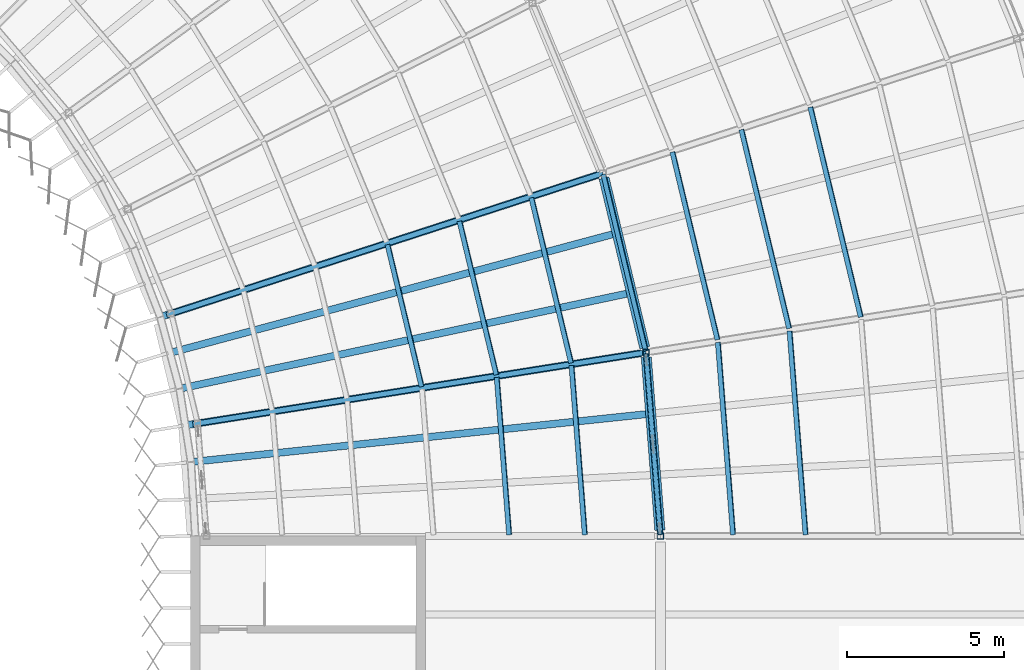
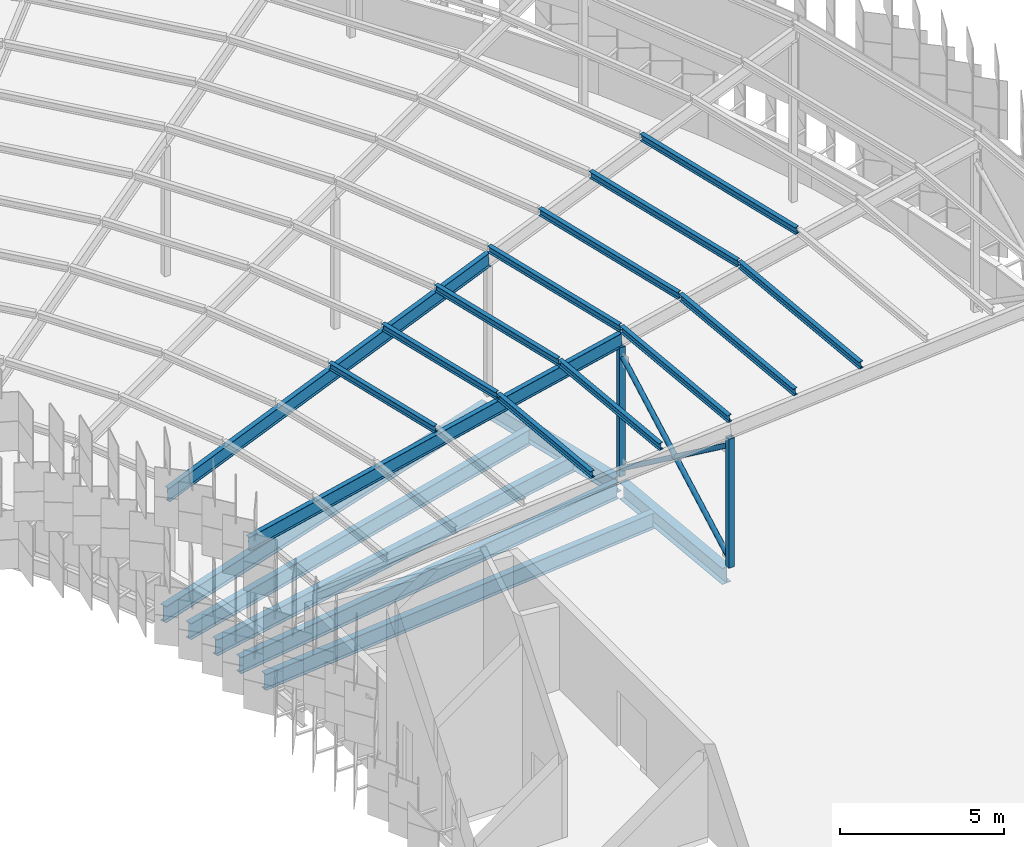
# One storey, part 88 of 483: 19 members, 7 beams.
"""IFC4 building model written with IfcOpenShell, lengths in metres."""

from ifc_helpers import new_model, si_unit, direction, frame, origin, origin_2d, place, context, subcontext, project, spatial, hollow_rectangle, hollow_circle, i_section, extrude, material, material_profile, profile_set, type_object, element, save


model = new_model("IFC4")

# Units and contexts
model_context = context("Model", 3, precision=1e-05, world=origin(), true_north=direction((0.0, 1.0)))
body_context = subcontext(model_context, "Body", "Model", "MODEL_VIEW")
ifc_project = project(units=[si_unit("LENGTHUNIT", "METRE"), si_unit("AREAUNIT", "SQUARE_METRE"), si_unit("VOLUMEUNIT", "CUBIC_METRE"), si_unit("PLANEANGLEUNIT", "RADIAN"), si_unit("MASSUNIT", "GRAM", prefix="KILO")], contexts=[model_context])

# Site, building, storey
site_placement = place(None, origin())
site = spatial("IfcSite", under=ifc_project, at=site_placement, CompositionType="ELEMENT")
building_placement = place(site_placement, origin())
building = spatial("IfcBuilding", under=site, at=building_placement, Name="Parallax Yard Mobility Hub", CompositionType="ELEMENT")
storey_placement = place(building_placement, frame((0.0, 0.0, 13.199951171875)))
storey = spatial("IfcBuildingStorey", under=building, at=storey_placement, Name="L04", CompositionType="ELEMENT", Elevation=13.199951171875)

# Members
ifc_material_1 = material(Name="Steel ASTM A500 Gr C", Category="steel")
ifc_material_profile_1 = material_profile(ifc_material_1, hollow_circle(Radius=0.0888671875, WallThickness=0.0078125, at=origin_2d()), Name="HSS177.8x7.9")
ifc_profile_set_1 = profile_set([ifc_material_profile_1], Name="Steel ASTM A500 Gr C")
member_type_1 = type_object("IfcMemberType", Name="Canopy brace HSS177.8x7.9", PredefinedType="BRACE", material=ifc_profile_set_1)
member_1_placement = place(storey_placement, frame((209.99267578125, 90.093994140625, 0.300048828125), z_axis=(-0.063432047251, 0.805735966664, 0.588868344714), x_axis=(-0.996915470375, -0.078482768349, 0.0)))
element("IfcMember", 1, at=member_1_placement, inside=storey, type_object=member_type_1, Name="Canopy X brace RB bay R9-R10 diagonal B", PredefinedType="BRACE", context=body_context, shape_type="SweptSolid", body=[
    extrude(hollow_circle(Radius=0.0888671875, WallThickness=0.0078125, at=origin_2d()), origin(), (0.0, 0.0, 1.0), 7.04736328125),
])
for number, where, z_axis, x_axis, name in (
    (2, (209.545654296875, 95.772216796875, 0.300048828125), (0.063442663143, -0.805736014906, 0.588867135079), (0.996914442986, 0.078495817512, 0.0), "Canopy X brace RB bay R9-R10 diagonal A part 1"),
    (3, (209.7744140625, 92.865966796875, 2.424072265625), (0.063442663143, -0.805736014906, 0.588867135079), (0.996914442986, 0.078495817512, 0.0), "Canopy X brace RB bay R9-R10 diagonal A part 2"),
):
    element("IfcMember", number, at=place(storey_placement, frame(where, z_axis=z_axis, x_axis=x_axis)), inside=storey, type_object=member_type_1, Name=name, PredefinedType="BRACE", context=body_context, shape_type="SweptSolid", body=[
        extrude(hollow_circle(Radius=0.0888671875, WallThickness=0.0078125, at=origin_2d()), origin(), (0.0, 0.0, 1.0), 3.440185546875),
    ])
ifc_material_profile_2 = material_profile(ifc_material_1, hollow_rectangle(XDim=0.203125, YDim=0.203125, WallThickness=0.009521484375, at=origin_2d()), Name="HSS203x203x9.5")
ifc_profile_set_2 = profile_set([ifc_material_profile_2], Name="Steel ASTM A500 Gr C")
member_type_2 = type_object("IfcMemberType", Name="Canopy post HSS203x203x9.5", PredefinedType="POST", material=ifc_profile_set_2)
for number, where, z_axis, x_axis, name in (
    (4, (209.538330078125, 95.8662109375, 0.0), (0.0, 0.0, 1.0), (1.0, 0.0, 0.0), "Canopy post RB/R9"),
    (5, (210.0, 90.0, 0.0), (0.0, 0.0, 1.0), (1.0, 0.0, 0.0), "Canopy post RB/R10"),
):
    element("IfcMember", number, at=place(storey_placement, frame(where, z_axis=z_axis, x_axis=x_axis)), inside=storey, type_object=member_type_2, Name=name, PredefinedType="POST", context=body_context, shape_type="SweptSolid", body=[
        extrude(hollow_rectangle(XDim=0.203125, YDim=0.203125, WallThickness=0.009521484375, at=origin_2d()), origin(), (0.0, 0.0, 1.0), 4.81005859375),
    ])
ifc_material_2 = material(Name="Steel ASTM A992", Category="steel")
ifc_material_profile_3 = material_profile(ifc_material_2, i_section(OverallWidth=0.14794921875, OverallDepth=0.26611328125, WebThickness=0.007568359375, FlangeThickness=0.012939453125, at=origin_2d()), Name="W250x45")
ifc_profile_set_3 = profile_set([ifc_material_profile_3], Name="Steel ASTM A992")
member_type_3 = type_object("IfcMemberType", Name="Canopy purlin W250x45", PredefinedType="PURLIN", material=ifc_profile_set_3)
member_2_placement = place(storey_placement, frame((201.289306640625, 99.311279296875, 4.882080078125), z_axis=(0.233428353481, -0.97237400407, 0.0), x_axis=(0.969258180753, 0.232680368135, 0.079990157691)))
element("IfcMember", 6, at=member_2_placement, inside=storey, type_object=member_type_3, Name="Canopy purlin sector R8-R9 line 4", PredefinedType="PURLIN", context=body_context, shape_type="SweptSolid", body=[
    extrude(i_section(OverallWidth=0.14794921875, OverallDepth=0.26611328125, WebThickness=0.007568359375, FlangeThickness=0.012939453125, at=origin_2d()), origin(), (0.0, 0.0, 1.0), 4.666748046875),
])
member_3_placement = place(storey_placement, frame((203.58740234375, 100.05810546875, 5.075439453125), z_axis=(0.233451639368, -0.972368413759, 0.0), x_axis=(0.969252608356, 0.232703579406, 0.079990157691)))
element("IfcMember", 7, at=member_3_placement, inside=storey, type_object=member_type_3, Name="Canopy purlin sector R8-R9 line 5", PredefinedType="PURLIN", context=body_context, shape_type="SweptSolid", body=[
    extrude(i_section(OverallWidth=0.14794921875, OverallDepth=0.26611328125, WebThickness=0.007568359375, FlangeThickness=0.012939453125, at=origin_2d()), origin(), (0.0, 0.0, 1.0), 5.0458984375),
])
member_4_placement = place(storey_placement, frame((205.885986328125, 100.804931640625, 5.2685546875), z_axis=(0.233418906085, -0.972376271966, 0.0), x_axis=(0.969260441382, 0.232670951011, 0.079990157691)))
element("IfcMember", 8, at=member_4_placement, inside=storey, type_object=member_type_3, Name="Canopy purlin sector R8-R9 line 6", PredefinedType="PURLIN", context=body_context, shape_type="SweptSolid", body=[
    extrude(i_section(OverallWidth=0.14794921875, OverallDepth=0.26611328125, WebThickness=0.007568359375, FlangeThickness=0.012939453125, at=origin_2d()), origin(), (0.0, 0.0, 1.0), 5.42529296875),
])
member_5_placement = place(storey_placement, frame((208.184326171875, 101.5517578125, 5.462158203125), z_axis=(0.233439766266, -0.972371264243, 0.0), x_axis=(0.969255449706, 0.232691744349, 0.079990157691)))
element("IfcMember", 9, at=member_5_placement, inside=storey, type_object=member_type_3, Name="Canopy purlin sector R8-R9 line 7", PredefinedType="PURLIN", context=body_context, shape_type="SweptSolid", body=[
    extrude(i_section(OverallWidth=0.14794921875, OverallDepth=0.26611328125, WebThickness=0.007568359375, FlangeThickness=0.012939453125, at=origin_2d()), origin(), (0.0, 0.0, 1.0), 5.804443359375),
])
member_6_placement = place(storey_placement, frame((210.3876953125, 102.267578125, 5.6474609375), z_axis=(0.233416366935, -0.972376881485, 0.0), x_axis=(0.969261048948, 0.232668419997, 0.079990157691)))
element("IfcMember", 10, at=member_6_placement, inside=storey, type_object=member_type_3, Name="Canopy purlin sector R8-R9 line 8", PredefinedType="PURLIN", context=body_context, shape_type="SweptSolid", body=[
    extrude(i_section(OverallWidth=0.14794921875, OverallDepth=0.26611328125, WebThickness=0.007568359375, FlangeThickness=0.012939453125, at=origin_2d()), origin(), (0.0, 0.0, 1.0), 6.16796875),
])
member_7_placement = place(storey_placement, frame((212.5908203125, 102.9833984375, 5.832763671875), z_axis=(0.23343939935, -0.972371352329, 0.0), x_axis=(0.96925553751, 0.232691378609, 0.079990157691)))
element("IfcMember", 11, at=member_7_placement, inside=storey, type_object=member_type_3, Name="Canopy purlin sector R8-R9 line 9", PredefinedType="PURLIN", context=body_context, shape_type="SweptSolid", body=[
    extrude(i_section(OverallWidth=0.14794921875, OverallDepth=0.26611328125, WebThickness=0.007568359375, FlangeThickness=0.012939453125, at=origin_2d()), origin(), (0.0, 0.0, 1.0), 6.53125),
])
member_8_placement = place(storey_placement, frame((214.794189453125, 103.699462890625, 6.01806640625), z_axis=(0.233443928247, -0.972370265056, 0.0), x_axis=(0.96925445372, 0.232695892993, 0.079990157691)))
element("IfcMember", 12, at=member_8_placement, inside=storey, type_object=member_type_3, Name="Canopy purlin sector R8-R9 line 10", PredefinedType="PURLIN", context=body_context, shape_type="SweptSolid", body=[
    extrude(i_section(OverallWidth=0.14794921875, OverallDepth=0.26611328125, WebThickness=0.007568359375, FlangeThickness=0.012939453125, at=origin_2d()), origin(), (0.0, 0.0, 1.0), 6.89501953125),
])
member_9_placement = place(storey_placement, frame((204.7783203125, 95.0712890625, 5.075439453125), z_axis=(0.078475989253, -0.99691600404, 0.0), x_axis=(0.99372153965, 0.078224524985, 0.079990157691)))
element("IfcMember", 13, at=member_9_placement, inside=storey, type_object=member_type_3, Name="Canopy purlin sector R9-R10 line 5", PredefinedType="PURLIN", context=body_context, shape_type="SweptSolid", body=[
    extrude(i_section(OverallWidth=0.14794921875, OverallDepth=0.26611328125, WebThickness=0.007568359375, FlangeThickness=0.012939453125, at=origin_2d()), origin(), (0.0, 0.0, 1.0), 5.046142578125),
])
member_10_placement = place(storey_placement, frame((207.1650390625, 95.44921875, 5.2685546875), z_axis=(0.078482401064, -0.996915499289, 0.0), x_axis=(0.993721036516, 0.07823091625, 0.079990157691)))
element("IfcMember", 14, at=member_10_placement, inside=storey, type_object=member_type_3, Name="Canopy purlin sector R9-R10 line 6", PredefinedType="PURLIN", context=body_context, shape_type="SweptSolid", body=[
    extrude(i_section(OverallWidth=0.14794921875, OverallDepth=0.26611328125, WebThickness=0.007568359375, FlangeThickness=0.012939453125, at=origin_2d()), origin(), (0.0, 0.0, 1.0), 5.42529296875),
])
member_11_placement = place(storey_placement, frame((209.552001953125, 95.827392578125, 5.462158203125), z_axis=(0.078484684257, -0.996915319542, 0.0), x_axis=(0.993720857345, 0.078233192127, 0.079990157691)))
element("IfcMember", 15, at=member_11_placement, inside=storey, type_object=member_type_3, Name="Canopy purlin sector R9-R10 line 7", PredefinedType="PURLIN", context=body_context, shape_type="SweptSolid", body=[
    extrude(i_section(OverallWidth=0.14794921875, OverallDepth=0.26611328125, WebThickness=0.007568359375, FlangeThickness=0.012939453125, at=origin_2d()), origin(), (0.0, 0.0, 1.0), 5.804443359375),
])
member_12_placement = place(storey_placement, frame((211.840087890625, 96.189697265625, 5.6474609375), z_axis=(0.078491306471, -0.996914798169, 0.0), x_axis=(0.993720337643, 0.078239793121, 0.079990157691)))
element("IfcMember", 16, at=member_12_placement, inside=storey, type_object=member_type_3, Name="Canopy purlin sector R9-R10 line 8", PredefinedType="PURLIN", context=body_context, shape_type="SweptSolid", body=[
    extrude(i_section(OverallWidth=0.14794921875, OverallDepth=0.26611328125, WebThickness=0.007568359375, FlangeThickness=0.012939453125, at=origin_2d()), origin(), (0.0, 0.0, 1.0), 6.16796875),
])
member_13_placement = place(storey_placement, frame((214.12841796875, 96.552001953125, 5.832763671875), z_axis=(0.078460042263, -0.996917259239, 0.0), x_axis=(0.993722790826, 0.078208629094, 0.079990157691)))
element("IfcMember", 17, at=member_13_placement, inside=storey, type_object=member_type_3, Name="Canopy purlin sector R9-R10 line 9", PredefinedType="PURLIN", context=body_context, shape_type="SweptSolid", body=[
    extrude(i_section(OverallWidth=0.14794921875, OverallDepth=0.26611328125, WebThickness=0.007568359375, FlangeThickness=0.012939453125, at=origin_2d()), origin(), (0.0, 0.0, 1.0), 6.53125),
])
ifc_material_profile_4 = material_profile(ifc_material_2, i_section(OverallWidth=0.166015625, OverallDepth=0.529052734375, WebThickness=0.009765625, FlangeThickness=0.013671875, at=origin_2d()), Name="W530x74")
ifc_profile_set_4 = profile_set([ifc_material_profile_4], Name="Steel ASTM A992")
member_type_4 = type_object("IfcMemberType", Name="Canopy rafter W530x74", PredefinedType="RAFTER", material=ifc_profile_set_4)
member_14_placement = place(storey_placement, frame((194.251708984375, 97.0673828125, 3.89501953125), z_axis=(0.948027918907, 0.30803016822, 0.079752620268), x_axis=(-0.30901447615, 0.951057334512, 0.0)))
element("IfcMember", 18, at=member_14_placement, inside=storey, type_object=member_type_4, Name="Canopy rafter R8 inner span", PredefinedType="RAFTER", context=body_context, shape_type="SweptSolid", body=[
    extrude(i_section(OverallWidth=0.166015625, OverallDepth=0.529052734375, WebThickness=0.009765625, FlangeThickness=0.013671875, at=origin_2d()), origin(), (0.0, 0.0, 1.0), 14.697021484375),
])
member_15_placement = place(storey_placement, frame((195.089599609375, 93.577880859375, 3.89501953125), z_axis=(0.984542051236, 0.155936629743, 0.079754102418), x_axis=(-0.156434942601, 0.987688264957, 0.0)))
element("IfcMember", 19, at=member_15_placement, inside=storey, type_object=member_type_4, Name="Canopy rafter R9 inner span", PredefinedType="RAFTER", context=body_context, shape_type="SweptSolid", body=[
    extrude(i_section(OverallWidth=0.166015625, OverallDepth=0.529052734375, WebThickness=0.009765625, FlangeThickness=0.013671875, at=origin_2d()), origin(), (0.0, 0.0, 1.0), 14.69677734375),
])

# Beams
ifc_material_profile_5 = material_profile(ifc_material_2, i_section(OverallWidth=0.22802734375, OverallDepth=0.60205078125, WebThickness=0.010498046875, FlangeThickness=0.014892578125, FilletRadius=0.0126953125, at=origin_2d()), Name="W610x101")
ifc_profile_set_5 = profile_set([ifc_material_profile_5], Name="Steel ASTM A992")
beam_type_1 = type_object("IfcBeamType", Name="W610x101 secondary beam", PredefinedType="JOIST", material=ifc_profile_set_5)
for number, where, z_axis, x_axis, name in (
    (20, (194.284423828125, 95.837158203125, -0.44091796875), (0.965927342589, 0.258813386129, 0.0), (-0.258813386129, 0.965927342589, 0.0), "Secondary beam B3 level L04, radial at 75 degrees of ramped parking decks, span 1"),
    (21, (194.56005859375, 94.68896484375, -0.44091796875), (0.978147607736, 0.207911657875, 0.0), (-0.207911657875, 0.978147607736, 0.0), "Secondary beam B3 level L04, radial at 78 degrees of ramped parking decks, span 1"),
):
    element("IfcBeam", number, at=place(storey_placement, frame(where, z_axis=z_axis, x_axis=x_axis)), inside=storey, type_object=beam_type_1, Name=name, PredefinedType="JOIST", context=body_context, shape_type="SweptSolid", body=[
        extrude(i_section(OverallWidth=0.22802734375, OverallDepth=0.60205078125, WebThickness=0.010498046875, FlangeThickness=0.014892578125, FilletRadius=0.0126953125, at=origin_2d()), origin(), (0.0, 0.0, 1.0), 14.681640625),
    ])
beam_1_placement = place(storey_placement, frame((194.92919921875, 92.357421875, -0.44091796875), z_axis=(0.994522023464, 0.104527244507, 0.0), x_axis=(-0.104527244507, 0.994522023464, 0.0)))
element("IfcBeam", 22, at=beam_1_placement, inside=storey, type_object=beam_type_1, Name="Secondary beam B3 level L04, radial at 84 degrees of ramped parking decks, span 1", PredefinedType="JOIST", context=body_context, shape_type="SweptSolid", body=[
    extrude(i_section(OverallWidth=0.22802734375, OverallDepth=0.60205078125, WebThickness=0.010498046875, FlangeThickness=0.014892578125, FilletRadius=0.0126953125, at=origin_2d()), origin(), (0.0, 0.0, 1.0), 14.681884765625),
])
ifc_material_profile_6 = material_profile(ifc_material_2, i_section(OverallWidth=0.22900390625, OverallDepth=0.612060546875, WebThickness=0.011962890625, FlangeThickness=0.01953125, FilletRadius=0.0126953125, at=origin_2d()), Name="W610x125")
ifc_profile_set_6 = profile_set([ifc_material_profile_6], Name="Steel ASTM A992")
beam_type_2 = type_object("IfcBeamType", Name="W610x125 girder", PredefinedType="BEAM", material=ifc_profile_set_6)
beam_2_placement = place(storey_placement, frame((194.07373046875, 97.009765625, -0.446044921875), z_axis=(0.95105867833, 0.309010340236, 0.0), x_axis=(-0.309010340236, 0.95105867833, 0.0)))
element("IfcBeam", 23, at=beam_2_placement, inside=storey, type_object=beam_type_2, Name="Girder G3 level L04, radial R8 of ramped parking decks, span 1", PredefinedType="BEAM", context=body_context, shape_type="SweptSolid", body=[
    extrude(i_section(OverallWidth=0.22900390625, OverallDepth=0.612060546875, WebThickness=0.011962890625, FlangeThickness=0.01953125, FilletRadius=0.0126953125, at=origin_2d()), origin(), (0.0, 0.0, 1.0), 14.65185546875),
])
beam_3_placement = place(storey_placement, frame((194.722900390625, 93.519775390625, -0.446044921875), z_axis=(0.98768893583, 0.156430706831, 0.0), x_axis=(-0.156430706831, 0.98768893583, 0.0)))
element("IfcBeam", 24, at=beam_3_placement, inside=storey, type_object=beam_type_2, Name="Girder G3 level L04, radial R9 of ramped parking decks, span 2", PredefinedType="BEAM", context=body_context, shape_type="SweptSolid", body=[
    extrude(i_section(OverallWidth=0.22900390625, OverallDepth=0.612060546875, WebThickness=0.011962890625, FlangeThickness=0.01953125, FilletRadius=0.0126953125, at=origin_2d()), origin(), (0.0, 0.0, 1.0), 14.8359375),
])
ifc_material_profile_7 = material_profile(ifc_material_2, i_section(OverallWidth=0.324951171875, OverallDepth=0.612060546875, WebThickness=0.0126953125, FlangeThickness=0.01904296875, FilletRadius=0.0126953125, at=origin_2d()), Name="W610x155")
ifc_profile_set_7 = profile_set([ifc_material_profile_7], Name="Steel ASTM A992")
beam_type_3 = type_object("IfcBeamType", Name="W610x155 longitudinal beam", PredefinedType="BEAM", material=ifc_profile_set_7)
beam_4_placement = place(storey_placement, frame((208.200927734375, 101.43701171875, -0.446044921875), z_axis=(0.233434251822, -0.972372588094, 0.0), x_axis=(0.972372588094, 0.233434251822, 0.0)))
element("IfcBeam", 25, at=beam_4_placement, inside=storey, type_object=beam_type_3, Name="Longitudinal beam SB8 level L04, ring RB of ramped parking decks, span 9", PredefinedType="BEAM", context=body_context, shape_type="SweptSolid", body=[
    extrude(i_section(OverallWidth=0.324951171875, OverallDepth=0.612060546875, WebThickness=0.0126953125, FlangeThickness=0.01904296875, FilletRadius=0.0126953125, at=origin_2d()), origin(), (0.0, 0.0, 1.0), 5.573486328125),
])
beam_5_placement = place(storey_placement, frame((209.550537109375, 95.711181640625, -0.446044921875), z_axis=(0.078461682302, -0.996917130162, 0.0), x_axis=(0.996917130162, 0.078461682302, 0.0)))
element("IfcBeam", 26, at=beam_5_placement, inside=storey, type_object=beam_type_3, Name="Longitudinal beam SB8 level L04, ring RB of ramped parking decks, span 10", PredefinedType="BEAM", context=body_context, shape_type="SweptSolid", body=[
    extrude(i_section(OverallWidth=0.324951171875, OverallDepth=0.612060546875, WebThickness=0.0126953125, FlangeThickness=0.01904296875, FilletRadius=0.0126953125, at=origin_2d()), origin(), (0.0, 0.0, 1.0), 5.541748046875),
])

save(model, "model.ifc")
